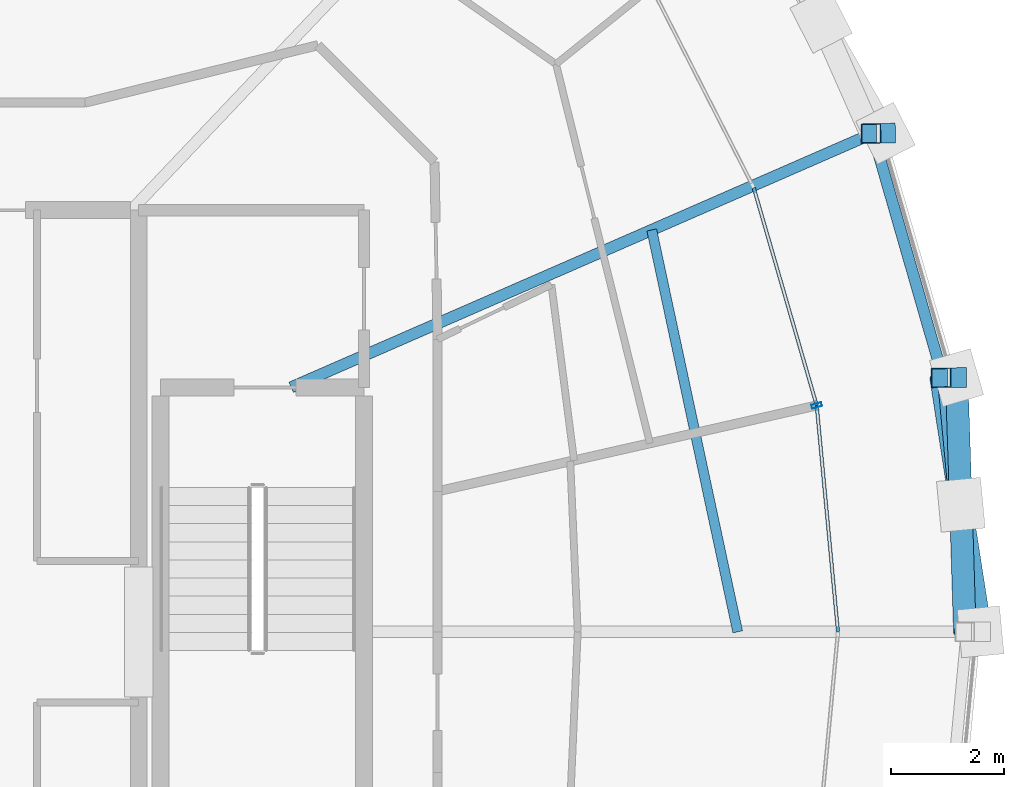
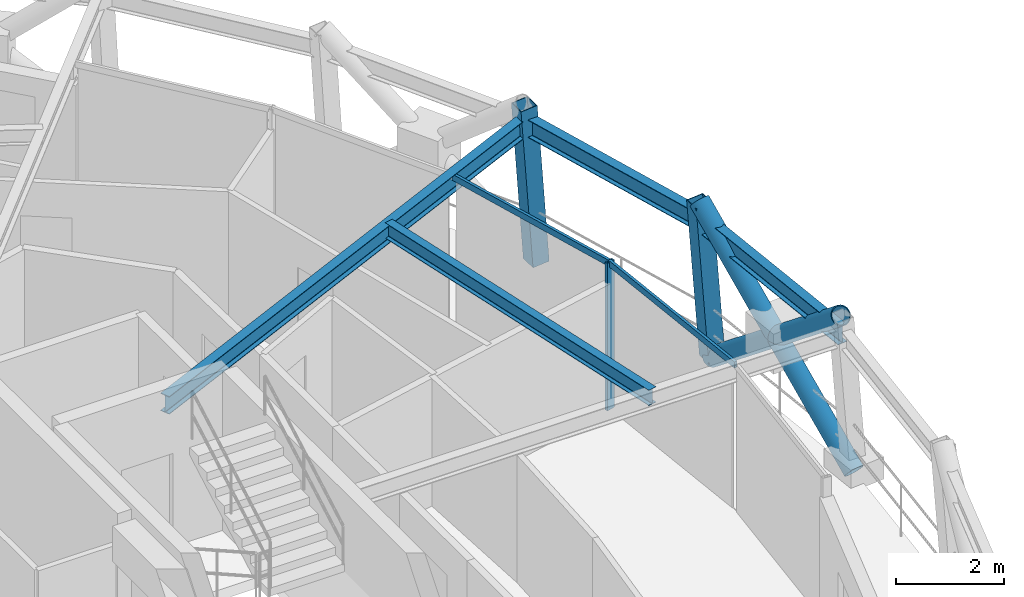
# One storey, part 6 of 15: 8 members, 4 beams, 1 element without a shape of its own.
"""IFC4 building model written with IfcOpenShell, lengths in metres."""

from ifc_helpers import new_model, si_unit, direction, frame, origin, origin_2d, place, context, subcontext, project, spatial, hollow_rectangle, hollow_circle, i_section, extrude, material, layer, layer_set, material_profile, profile_set, type_object, element, aggregate, save


model = new_model("IFC4")

# Units and contexts
model_context = context("Model", 3, precision=1e-05, world=origin(), true_north=direction((0.0, 1.0)))
body_context = subcontext(model_context, "Body", "Model", "MODEL_VIEW")
ifc_project = project(units=[si_unit("LENGTHUNIT", "METRE"), si_unit("AREAUNIT", "SQUARE_METRE"), si_unit("VOLUMEUNIT", "CUBIC_METRE"), si_unit("PLANEANGLEUNIT", "RADIAN"), si_unit("MASSUNIT", "GRAM", prefix="KILO")], contexts=[model_context])

# Site, building, storey
site_placement = place(None, origin())
site = spatial("IfcSite", under=ifc_project, at=site_placement, CompositionType="ELEMENT")
building_placement = place(site_placement, origin())
building = spatial("IfcBuilding", under=site, at=building_placement, Name="Veldorina Hangang Commons", CompositionType="ELEMENT")
storey_placement = place(building_placement, frame((0.0, 0.0, 261.60009765625)))
storey = spatial("IfcBuildingStorey", under=building, at=storey_placement, Name="L68", CompositionType="ELEMENT", Elevation=261.60009765625)

# Beams
ifc_material_1 = material(Name="Steel SM355-TMC", Category="steel")
ifc_material_profile_1 = material_profile(ifc_material_1, i_section(OverallWidth=0.199951171875, OverallDepth=0.39990234375, WebThickness=0.008056640625, FlangeThickness=0.012939453125, FilletRadius=0.012939453125, at=origin_2d()), Name="H-400x200x8x13")
ifc_profile_set_1 = profile_set([ifc_material_profile_1], Name="Steel SM355-TMC")
beam_type_1 = type_object("IfcBeamType", Name="BM-FG400", PredefinedType="BEAM", material=ifc_profile_set_1)
beam_1_placement = place(storey_placement, frame((41.89453125, 28.320068359375, 3.159912109375), z_axis=(0.91645546619, 0.400136699755, 0.0), x_axis=(-0.400136699755, 0.91645546619, 0.0)))
element("IfcBeam", 1, at=beam_1_placement, inside=storey, type_object=beam_type_1, Name="L68 radial floor girder 02", PredefinedType="BEAM", context=body_context, shape_type="SweptSolid", body=[
    extrude(i_section(OverallWidth=0.199951171875, OverallDepth=0.39990234375, WebThickness=0.008056640625, FlangeThickness=0.012939453125, FilletRadius=0.012939453125, at=origin_2d()), origin(), (0.0, 0.0, 1.0), 11.210693359375),
])
ifc_material_profile_2 = material_profile(ifc_material_1, i_section(OverallWidth=0.175048828125, OverallDepth=0.35009765625, WebThickness=0.007080078125, FlangeThickness=0.010986328125, FilletRadius=0.012939453125, at=origin_2d()), Name="H-350x175x7x11")
ifc_profile_set_2 = profile_set([ifc_material_profile_2], Name="Steel SM355-TMC")
beam_type_2 = type_object("IfcBeamType", Name="BM-JST350", PredefinedType="JOIST", material=ifc_profile_set_2)
beam_2_placement = place(storey_placement, frame((49.783203125, 24.0, 3.184814453125), z_axis=(-0.209145648636, 0.977884501184, 0.0), x_axis=(-0.977884501184, -0.209145648636, 0.0)))
element("IfcBeam", 2, at=beam_2_placement, inside=storey, type_object=beam_type_2, Name="L68 secondary floor joist 01", PredefinedType="JOIST", context=body_context, shape_type="SweptSolid", body=[
    extrude(i_section(OverallWidth=0.175048828125, OverallDepth=0.35009765625, WebThickness=0.007080078125, FlangeThickness=0.010986328125, FilletRadius=0.012939453125, at=origin_2d()), origin(), (0.0, 0.0, 1.0), 7.261962890625),
])
ifc_material_profile_3 = material_profile(ifc_material_1, i_section(OverallWidth=0.199951171875, OverallDepth=0.39990234375, WebThickness=0.008056640625, FlangeThickness=0.012939453125, FilletRadius=0.012939453125, at=origin_2d()), Name="H-400x200x8x13")
ifc_profile_set_3 = profile_set([ifc_material_profile_3], Name="Steel SM355-TMC")
beam_type_3 = type_object("IfcBeamType", Name="BM-RB400", PredefinedType="BEAM", material=ifc_profile_set_3)
beam_3_placement = place(storey_placement, frame((53.83056640625, 24.0, 3.159912109375), z_axis=(-0.093079037681, 0.995658723029, 0.0), x_axis=(-0.995658723029, -0.093079037681, 0.0)))
element("IfcBeam", 3, at=beam_3_placement, inside=storey, type_object=beam_type_3, Name="L68 perimeter hoop ring beam 00", PredefinedType="BEAM", context=body_context, shape_type="SweptSolid", body=[
    extrude(i_section(OverallWidth=0.199951171875, OverallDepth=0.39990234375, WebThickness=0.008056640625, FlangeThickness=0.012939453125, FilletRadius=0.012939453125, at=origin_2d()), origin(), (0.0, 0.0, 1.0), 4.5087890625),
])
beam_4_placement = place(storey_placement, frame((53.410888671875, 28.4892578125, 3.159912109375), z_axis=(-0.276543996443, 0.96100125808, 0.0), x_axis=(-0.96100125808, -0.276543996443, 0.0)))
element("IfcBeam", 4, at=beam_4_placement, inside=storey, type_object=beam_type_3, Name="L68 perimeter hoop ring beam 01", PredefinedType="BEAM", context=body_context, shape_type="SweptSolid", body=[
    extrude(i_section(OverallWidth=0.199951171875, OverallDepth=0.39990234375, WebThickness=0.008056640625, FlangeThickness=0.012939453125, FilletRadius=0.012939453125, at=origin_2d()), origin(), (0.0, 0.0, 1.0), 4.491943359375),
])

# Curtain wall, members
ifc_material_2 = material(Name="Glass Low-E Selective", Category="glass")
ifc_layer = layer(ifc_material_2, 0.179931640625)
ifc_layer_set = layer_set([ifc_layer], Name="Glass Low-E Selective")
curtain_wall_type = type_object("IfcCurtainWallType", Name="CW-SYS-Z3", PredefinedType="NOTDEFINED", material=ifc_layer_set)
curtain_wall_placement = place(storey_placement, origin())
curtain_wall = element("IfcCurtainWall", 5, at=curtain_wall_placement, inside=storey, type_object=curtain_wall_type, Name="L68 unitised curtain wall CW-L68-R2", PredefinedType="NOTDEFINED")
ifc_material_3 = material(Name="Aluminium Anodized AA6063-T6", Category="aluminium")
ifc_material_profile_4 = material_profile(ifc_material_3, hollow_rectangle(XDim=0.070068359375, YDim=0.179931640625, WallThickness=0.00390625, at=origin_2d()), Name="ALU-RHS-180x70x4")
ifc_profile_set_4 = profile_set([ifc_material_profile_4], Name="Aluminium Anodized AA6063-T6")
member_type_1 = type_object("IfcMemberType", Name="CW-MUL-180", PredefinedType="MULLION", material=ifc_profile_set_4)
member_1_placement = place(storey_placement, frame((51.179443359375, 27.99951171875, 0.0), z_axis=(0.0, 0.0, 1.0), x_axis=(-0.277951805131, 0.96059502082, 0.0)))
member_1 = element("IfcMember", 6, at=member_1_placement, type_object=member_type_1, Name="CW-L68-R2 vertical mullion 2", PredefinedType="MULLION", context=body_context, shape_type="SweptSolid", body=[
    extrude(hollow_rectangle(XDim=0.070068359375, YDim=0.179931640625, WallThickness=0.00390625, at=origin_2d()), origin(), (0.0, 0.0, 1.0), 3.31982421875),
])
ifc_material_profile_5 = material_profile(ifc_material_3, hollow_rectangle(XDim=0.06005859375, YDim=0.139892578125, WallThickness=0.00341796875, at=origin_2d()), Name="ALU-RHS-140x60x3.5")
ifc_profile_set_5 = profile_set([ifc_material_profile_5], Name="Aluminium Anodized AA6063-T6")
member_type_2 = type_object("IfcMemberType", Name="CW-TRN-140", PredefinedType="USERDEFINED", material=ifc_profile_set_5)
member_2_placement = place(storey_placement, frame((51.55517578125, 24.0, 3.27978515625), z_axis=(-0.093532739513, 0.995616204488, 0.0), x_axis=(-0.995616204488, -0.093532739513, 0.0)))
member_2 = element("IfcMember", 7, at=member_2_placement, type_object=member_type_2, Name="CW-L68-R2 facet 2 transom 1", ObjectType="TRANSOM", PredefinedType="USERDEFINED", context=body_context, shape_type="SweptSolid", body=[
    extrude(hollow_rectangle(XDim=0.06005859375, YDim=0.139892578125, WallThickness=0.00341796875, at=origin_2d()), origin(), (0.0, 0.0, 1.0), 4.01708984375),
])
member_3_placement = place(storey_placement, frame((51.179443359375, 27.99951171875, 3.27978515625), z_axis=(-0.277941104395, 0.960598117054, 0.0), x_axis=(-0.960598117054, -0.277941104395, 0.0)))
member_3 = element("IfcMember", 8, at=member_3_placement, type_object=member_type_2, Name="CW-L68-R2 facet 3 transom 1", ObjectType="TRANSOM", PredefinedType="USERDEFINED", context=body_context, shape_type="SweptSolid", body=[
    extrude(hollow_rectangle(XDim=0.06005859375, YDim=0.139892578125, WallThickness=0.00341796875, at=origin_2d()), origin(), (0.0, 0.0, 1.0), 4.003662109375),
])
aggregate(curtain_wall, [member_1, member_2, member_3])

# Members
ifc_material_profile_6 = material_profile(ifc_material_1, hollow_circle(Radius=0.199951171875, WallThickness=0.02001953125, at=origin_2d()), Name="CHS-400x20")
ifc_profile_set_6 = profile_set([ifc_material_profile_6], Name="Steel SM355-TMC")
member_type_3 = type_object("IfcMemberType", Name="DG-CHS400", PredefinedType="BRACE", material=ifc_profile_set_6)
member_4_placement = place(storey_placement, frame((54.0751953125, 24.0, 0.0), z_axis=(-0.120337760195, 0.774466362168, 0.621064149136), x_axis=(-0.988142573927, -0.153539094671, 0.0)))
element("IfcMember", 9, at=member_4_placement, inside=storey, type_object=member_type_3, Name="L68 continuous perimeter diagrid brace 00", PredefinedType="BRACE", context=body_context, shape_type="SweptSolid", body=[
    extrude(hollow_circle(Radius=0.199951171875, WallThickness=0.02001953125, at=origin_2d()), origin(), (0.0, 0.0, 1.0), 5.79638671875),
])
member_5_placement = place(storey_placement, frame((53.65087890625, 28.4912109375, 0.0), z_axis=(0.026197157101, -0.779980081963, 0.625255772226), x_axis=(0.999436434942, 0.033568028087, 0.0)))
element("IfcMember", 10, at=member_5_placement, inside=storey, type_object=member_type_3, Name="L68 split perimeter diagrid lower brace 01", PredefinedType="BRACE", context=body_context, shape_type="SweptSolid", body=[
    extrude(hollow_circle(Radius=0.199951171875, WallThickness=0.02001953125, at=origin_2d()), origin(), (0.0, 0.0, 1.0), 2.879638671875),
])
member_6_placement = place(storey_placement, frame((53.726318359375, 26.2451171875, 1.800537109375), z_axis=(0.024346027625, -0.780090836386, 0.625192416721), x_axis=(0.999513347726, 0.031194033362, 0.0)))
element("IfcMember", 11, at=member_6_placement, inside=storey, type_object=member_type_3, Name="L68 split perimeter diagrid upper brace 01", PredefinedType="BRACE", context=body_context, shape_type="SweptSolid", body=[
    extrude(hollow_circle(Radius=0.199951171875, WallThickness=0.02001953125, at=origin_2d()), origin(), (0.0, 0.0, 1.0), 2.8779296875),
])
ifc_material_profile_7 = material_profile(ifc_material_1, hollow_rectangle(XDim=0.35009765625, YDim=0.35009765625, WallThickness=0.01611328125, at=origin_2d()), Name="SHS-350x350x16")
ifc_profile_set_7 = profile_set([ifc_material_profile_7], Name="Steel SM355-TMC")
member_type_4 = type_object("IfcMemberType", Name="STR-SHS350", PredefinedType="STRUT", material=ifc_profile_set_7)
member_7_placement = place(storey_placement, frame((53.65087890625, 28.4912109375, 0.0), z_axis=(-0.075672520213, -0.000608626168, 0.997132538462), x_axis=(0.008042635315, -0.999967657486, 0.0)))
element("IfcMember", 12, at=member_7_placement, inside=storey, type_object=member_type_4, Name="L68 perimeter ring node post 01", PredefinedType="STRUT", context=body_context, shape_type="SweptSolid", body=[
    extrude(hollow_rectangle(XDim=0.35009765625, YDim=0.35009765625, WallThickness=0.01611328125, at=origin_2d()), origin(), (0.0, 0.0, 1.0), 3.610107421875),
])
member_8_placement = place(storey_placement, frame((52.394775390625, 32.809814453125, 0.0), z_axis=(-0.071367174957, -0.001285285615, 0.997449284114), x_axis=(0.018006558774, -0.999837868777, 0.0)))
element("IfcMember", 13, at=member_8_placement, inside=storey, type_object=member_type_4, Name="L68 perimeter ring node post 02", PredefinedType="STRUT", context=body_context, shape_type="SweptSolid", body=[
    extrude(hollow_rectangle(XDim=0.35009765625, YDim=0.35009765625, WallThickness=0.01611328125, at=origin_2d()), origin(), (0.0, 0.0, 1.0), 3.609130859375),
])

save(model, "model.ifc")
